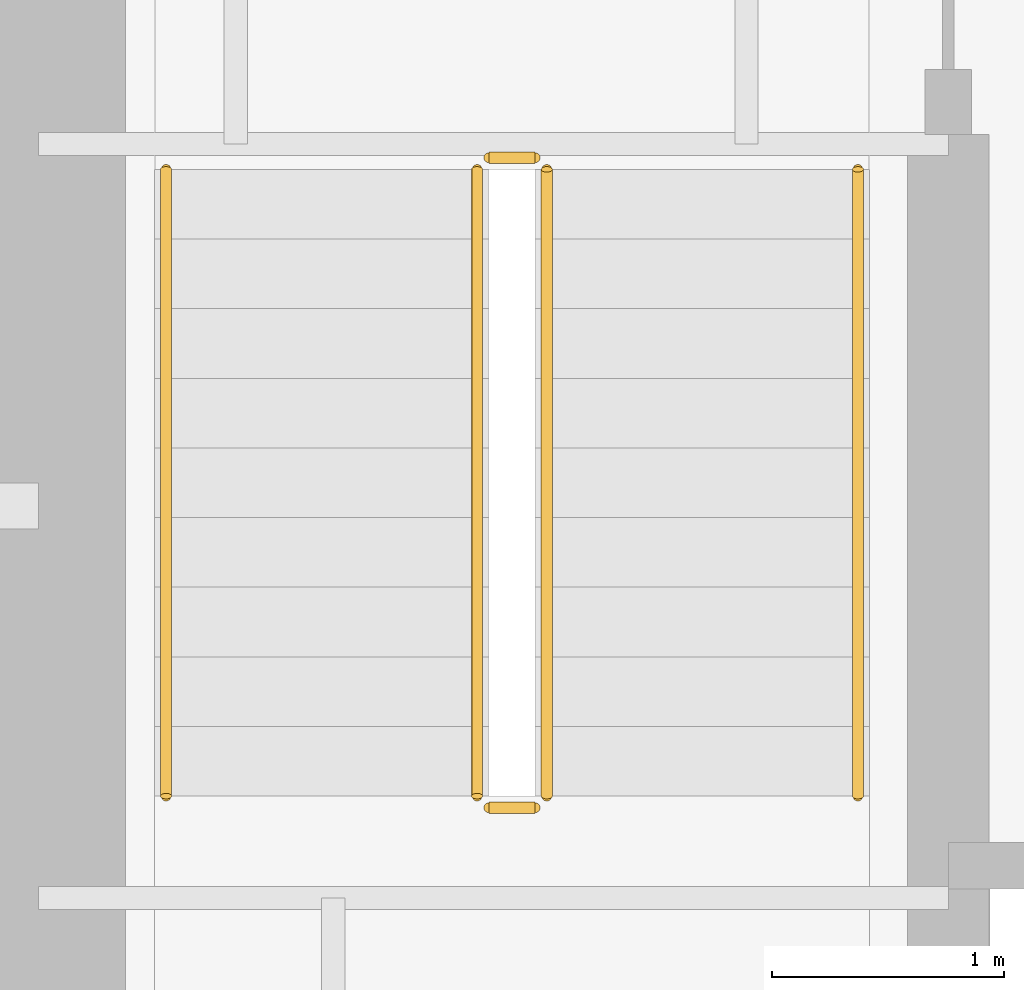
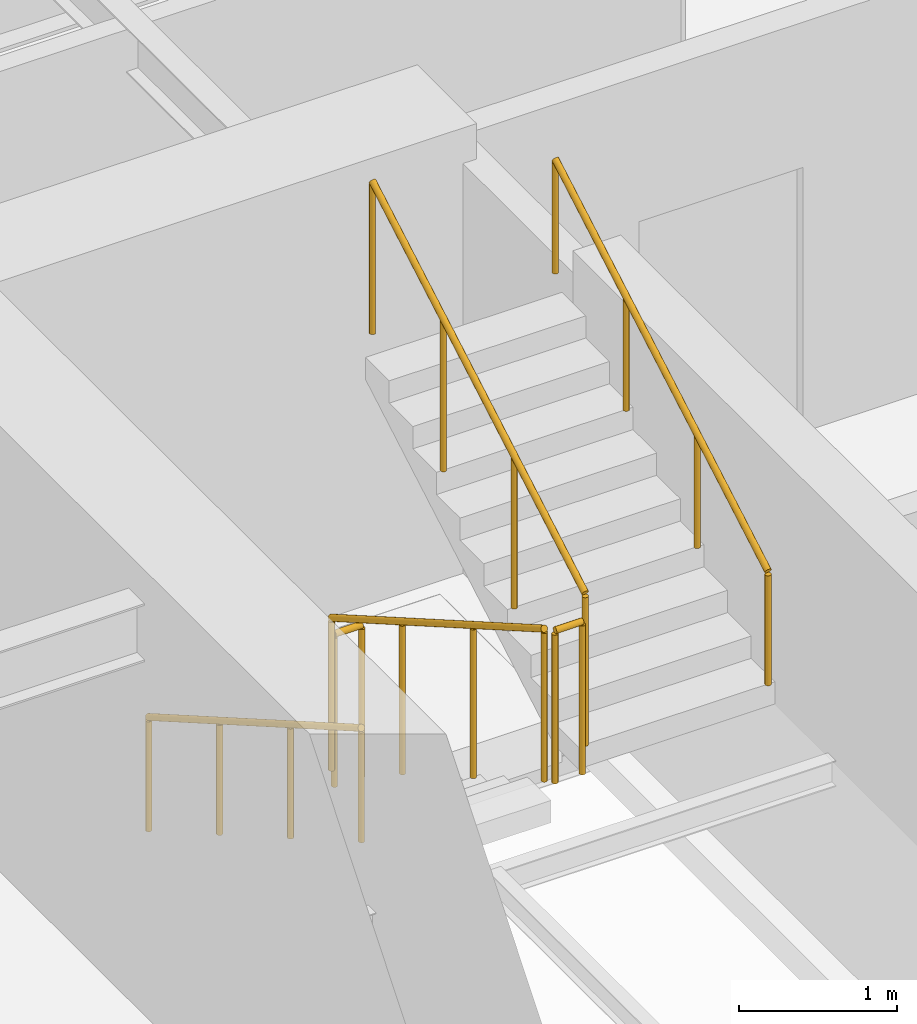
# One storey, part 11 of 15: 6 railings.
"""IFC4 building model written with IfcOpenShell, lengths in metres."""

from ifc_helpers import new_model, si_unit, direction, frame, origin, origin_2d, place, context, subcontext, project, spatial, circle, extrude, material, type_object, element, save


model = new_model("IFC4")

# Units and contexts
model_context = context("Model", 3, precision=1e-05, world=origin(), true_north=direction((0.0, 1.0)))
body_context = subcontext(model_context, "Body", "Model", "MODEL_VIEW")
ifc_project = project(units=[si_unit("LENGTHUNIT", "METRE"), si_unit("AREAUNIT", "SQUARE_METRE"), si_unit("VOLUMEUNIT", "CUBIC_METRE"), si_unit("PLANEANGLEUNIT", "RADIAN"), si_unit("MASSUNIT", "GRAM", prefix="KILO")], contexts=[model_context])

# Site, building, storey
site_placement = place(None, origin())
site = spatial("IfcSite", under=ifc_project, at=site_placement, CompositionType="ELEMENT")
building_placement = place(site_placement, origin())
building = spatial("IfcBuilding", under=site, at=building_placement, Name="Qiaolan Cultural Towers", CompositionType="ELEMENT")
storey_placement = place(building_placement, frame((0.0, 0.0, 71.300048828125)))
storey = spatial("IfcBuildingStorey", under=building, at=storey_placement, Name="L17", CompositionType="ELEMENT", Elevation=71.300048828125)

# Railings
ifc_material_1 = material(Name="Galvanized Painted Steel Stair Guardrail", Category="steel")
railing_type_1 = type_object("IfcRailingType", Name="RL-STAIR-GRD", PredefinedType="GUARDRAIL", material=ifc_material_1)
railing_1_placement = place(storey_placement, frame((23.68994140625, 19.550048828125, 0.17236328125)))
element("IfcRailing", 1, at=railing_1_placement, inside=storey, type_object=railing_type_1, Name="L17 ST-W1 stair guard 1", PredefinedType="GUARDRAIL", context=body_context, shape_type="SweptSolid", body=[
    extrude(circle(Radius=0.02392578125, at=origin_2d()), frame((0.0, 0.0, 1.17578125), z_axis=(0.0, -0.866903762492, 0.498475542607), x_axis=(1.0, 0.0, 0.0)), (0.0, 0.0, 1.0), 3.114501953125),
    extrude(circle(Radius=0.02099609375, at=origin_2d()), origin(), (0.0, 0.0, 1.0), 1.15185546875),
    extrude(circle(Radius=0.02099609375, at=origin_2d()), frame((0.0, -0.89990234375, 0.517578125)), (0.0, 0.0, 1.0), 1.15185546875),
    extrude(circle(Radius=0.02099609375, at=origin_2d()), frame((0.0, -1.800048828125, 1.034912109375)), (0.0, 0.0, 1.0), 1.15185546875),
    extrude(circle(Radius=0.02099609375, at=origin_2d()), frame((0.0, -2.699951171875, 1.552490234375)), (0.0, 0.0, 1.0), 1.15185546875),
])
railing_2_placement = place(storey_placement, frame((23.739990234375, 16.800048828125, 1.724853515625)))
element("IfcRailing", 2, at=railing_2_placement, inside=storey, type_object=railing_type_1, Name="L17 ST-W1 stair guard 2", PredefinedType="GUARDRAIL", context=body_context, shape_type="SweptSolid", body=[
    extrude(circle(Radius=0.02392578125, at=origin_2d()), frame((0.0, 0.0, 1.17578125), z_axis=(1.0, 0.0, 0.0), x_axis=(0.0, 1.0, 0.0)), (0.0, 0.0, 1.0), 0.199951171875),
    extrude(circle(Radius=0.02099609375, at=origin_2d()), origin(), (0.0, 0.0, 1.0), 1.15185546875),
    extrude(circle(Radius=0.02099609375, at=origin_2d()), frame((0.199951171875, 0.0, 0.0)), (0.0, 0.0, 1.0), 1.15185546875),
])
railing_3_placement = place(storey_placement, frame((23.989990234375, 16.85009765625, 1.8974609375)))
element("IfcRailing", 3, at=railing_3_placement, inside=storey, type_object=railing_type_1, Name="L17 ST-W1 stair guard 3", PredefinedType="GUARDRAIL", context=body_context, shape_type="SweptSolid", body=[
    extrude(circle(Radius=0.02392578125, at=origin_2d()), frame((0.0, 0.0, 1.17578125), z_axis=(0.0, 0.866903762492, 0.498475542607), x_axis=(-1.0, 0.0, 0.0)), (0.0, 0.0, 1.0), 3.114501953125),
    extrude(circle(Radius=0.02099609375, at=origin_2d()), origin(), (0.0, 0.0, 1.0), 1.15185546875),
    extrude(circle(Radius=0.02099609375, at=origin_2d()), frame((0.0, 0.89990234375, 0.517578125)), (0.0, 0.0, 1.0), 1.15185546875),
    extrude(circle(Radius=0.02099609375, at=origin_2d()), frame((0.0, 1.800048828125, 1.034912109375)), (0.0, 0.0, 1.0), 1.15185546875),
    extrude(circle(Radius=0.02099609375, at=origin_2d()), frame((0.0, 2.699951171875, 1.552490234375)), (0.0, 0.0, 1.0), 1.15185546875),
])
railing_4_placement = place(storey_placement, frame((23.739990234375, 19.60009765625, 0.0)))
element("IfcRailing", 4, at=railing_4_placement, inside=storey, type_object=railing_type_1, Name="L17 ST-W1 stair guard 4", PredefinedType="GUARDRAIL", context=body_context, shape_type="SweptSolid", body=[
    extrude(circle(Radius=0.02392578125, at=origin_2d()), frame((0.0, 0.0, 1.17578125), z_axis=(1.0, 0.0, 0.0), x_axis=(0.0, 1.0, 0.0)), (0.0, 0.0, 1.0), 0.199951171875),
    extrude(circle(Radius=0.02099609375, at=origin_2d()), origin(), (0.0, 0.0, 1.0), 1.15185546875),
    extrude(circle(Radius=0.02099609375, at=origin_2d()), frame((0.199951171875, 0.0, 0.0)), (0.0, 0.0, 1.0), 1.15185546875),
])
ifc_material_2 = material(Name="Stainless Steel S30408 Tubular Handrail", Category="steel")
railing_type_2 = type_object("IfcRailingType", Name="RL-STAIR-HR", PredefinedType="HANDRAIL", material=ifc_material_2)
railing_5_placement = place(storey_placement, frame((22.35009765625, 19.550048828125, 0.17236328125)))
element("IfcRailing", 5, at=railing_5_placement, inside=storey, type_object=railing_type_2, Name="L17 ST-W1 stair handrail 1", PredefinedType="HANDRAIL", context=body_context, shape_type="SweptSolid", body=[
    extrude(circle(Radius=0.02392578125, at=origin_2d()), frame((0.0, 0.0, 0.8759765625), z_axis=(0.0, -0.866903762492, 0.498475542607), x_axis=(1.0, 0.0, 0.0)), (0.0, 0.0, 1.0), 3.114501953125),
    extrude(circle(Radius=0.02099609375, at=origin_2d()), origin(), (0.0, 0.0, 1.0), 0.851806640625),
    extrude(circle(Radius=0.02099609375, at=origin_2d()), frame((0.0, -0.89990234375, 0.517578125)), (0.0, 0.0, 1.0), 0.851806640625),
    extrude(circle(Radius=0.02099609375, at=origin_2d()), frame((0.0, -1.800048828125, 1.034912109375)), (0.0, 0.0, 1.0), 0.851806640625),
    extrude(circle(Radius=0.02099609375, at=origin_2d()), frame((0.0, -2.699951171875, 1.552490234375)), (0.0, 0.0, 1.0), 0.851806640625),
])
railing_6_placement = place(storey_placement, frame((25.330078125, 16.85009765625, 1.8974609375)))
element("IfcRailing", 6, at=railing_6_placement, inside=storey, type_object=railing_type_2, Name="L17 ST-W1 stair handrail 2", PredefinedType="HANDRAIL", context=body_context, shape_type="SweptSolid", body=[
    extrude(circle(Radius=0.02392578125, at=origin_2d()), frame((0.0, 0.0, 0.8759765625), z_axis=(0.0, 0.866903762492, 0.498475542607), x_axis=(-1.0, 0.0, 0.0)), (0.0, 0.0, 1.0), 3.114501953125),
    extrude(circle(Radius=0.02099609375, at=origin_2d()), origin(), (0.0, 0.0, 1.0), 0.851806640625),
    extrude(circle(Radius=0.02099609375, at=origin_2d()), frame((0.0, 0.89990234375, 0.517578125)), (0.0, 0.0, 1.0), 0.851806640625),
    extrude(circle(Radius=0.02099609375, at=origin_2d()), frame((0.0, 1.800048828125, 1.034912109375)), (0.0, 0.0, 1.0), 0.851806640625),
    extrude(circle(Radius=0.02099609375, at=origin_2d()), frame((0.0, 2.699951171875, 1.552490234375)), (0.0, 0.0, 1.0), 0.851806640625),
])

save(model, "model.ifc")
